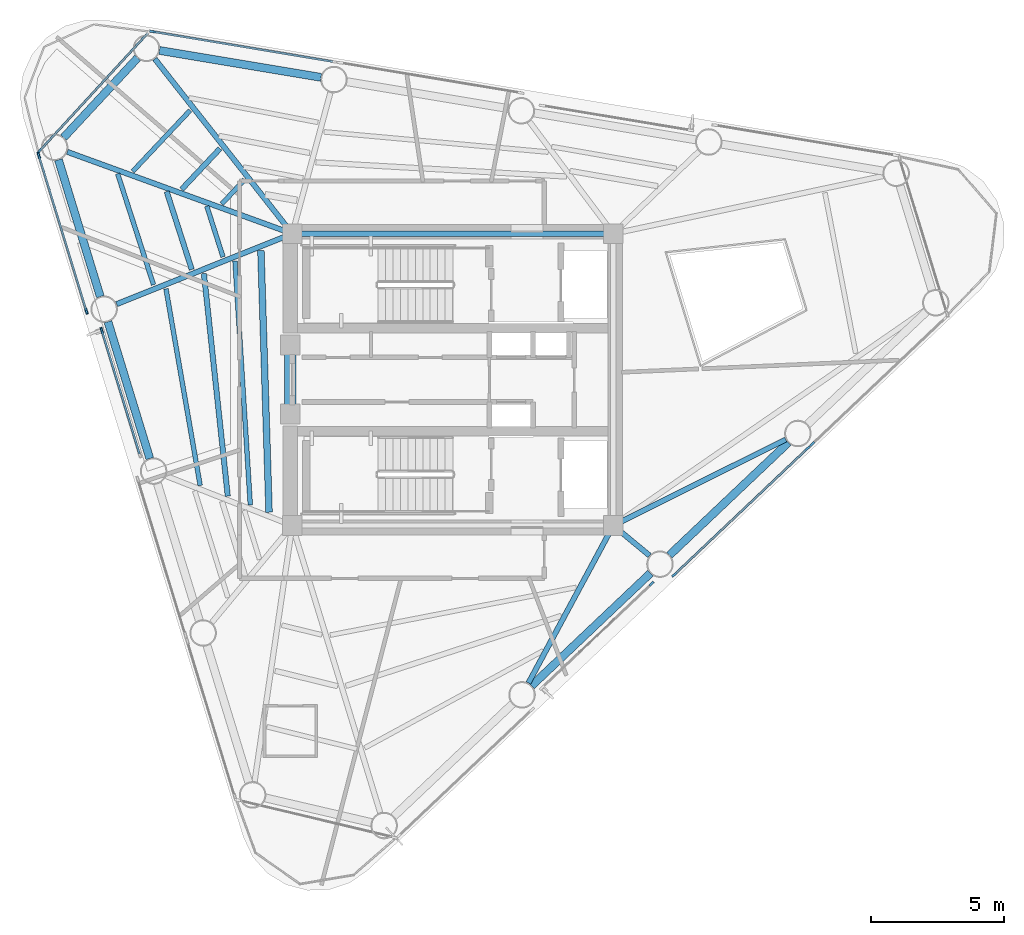
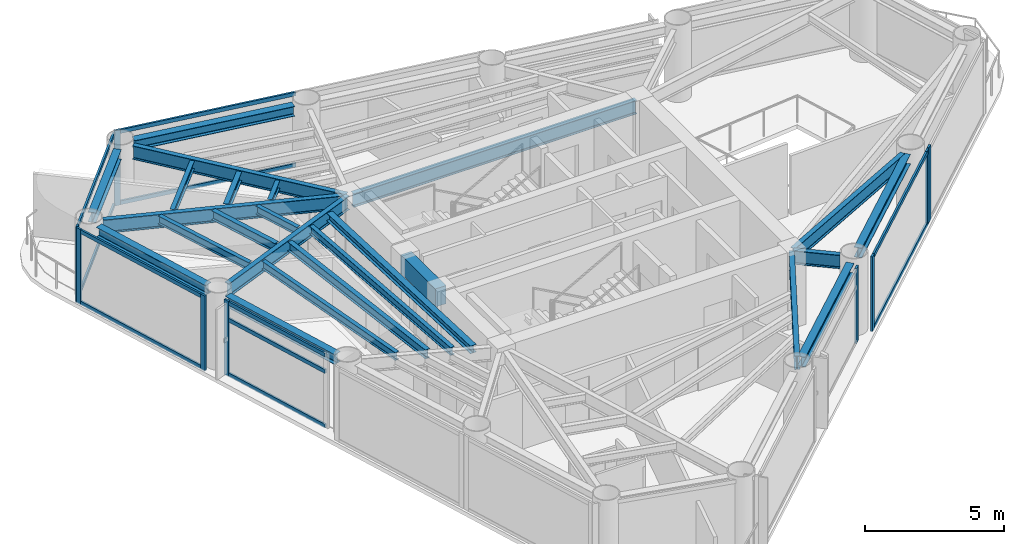
# One storey, part 2 of 8: 24 beams, 20 members, 7 elements without a shape of their own.
"""IFC4 building model written with IfcOpenShell, lengths in metres."""

import ifcopenshell
import ifcopenshell.guid

model = None  # the IFC model being written
_history = None  # IfcOwnerHistory: only IFC2X3 demands one
_inside = {}  # id of a spatial element -> (the spatial element, [elements in it])
_under = {}  # id of a project, library or spatial element -> (it, [spatial elements below it])
_declared = {}  # id of a project -> (the project, [libraries it declares])
_typed = {}  # id of a type object -> (the type object, [elements of that type])
_made_of = {}  # id of a material, layer set ... -> (it, [elements and type objects made of it])


def new_model(schema):
    """Start an empty IFC model of exactly this schema.

    Asked for "IFC4X3", IfcOpenShell would pick the latest addendum, in which some entities
    have other attributes; the version numbers below select the first issue.
    IFC2X3 requires an IfcOwnerHistory on every rooted entity: one is made here for all.
    """
    global model, _history
    if schema == "IFC4X3":
        model = ifcopenshell.file(schema_version=(4, 3, 0, 0))
    else:
        model = ifcopenshell.file(schema=schema)
    _inside.clear()
    _under.clear()
    _declared.clear()
    _typed.clear()
    _made_of.clear()
    _history = None
    if model.schema == "IFC2X3":
        org = make("IfcOrganization", Name="unknown")
        user = make(
            "IfcPersonAndOrganization",
            ThePerson=make("IfcPerson", FamilyName="unknown"),
            TheOrganization=org,
        )
        app = make(
            "IfcApplication",
            ApplicationDeveloper=org,
            Version="unknown",
            ApplicationFullName="unknown",
            ApplicationIdentifier="unknown",
        )
        _history = make(
            "IfcOwnerHistory",
            OwningUser=user,
            OwningApplication=app,
            ChangeAction="ADDED",
            CreationDate=0,
        )
    return model


def make(cls, **values):
    """One entity of the class cls with the attributes given. An attribute that is None is left unset."""
    return model.create_entity(
        cls, **{name: value for name, value in values.items() if value is not None}
    )


def rooted(cls, **values):
    """An entity with a GlobalId (a new one), such as an element, a storey or a relation."""
    return make(cls, GlobalId=ifcopenshell.guid.new(), OwnerHistory=_history, **values)


def si_unit(unit_type, name, prefix=None):
    """IfcSIUnit, for example si_unit("LENGTHUNIT", "METRE", prefix="MILLI")."""
    return make("IfcSIUnit", UnitType=unit_type, Prefix=prefix, Name=name)


def assignment(units):
    """IfcUnitAssignment: the units of a project."""
    return None if units is None else make("IfcUnitAssignment", Units=units)


def point(xyz):
    """IfcCartesianPoint."""
    return None if xyz is None else make("IfcCartesianPoint", Coordinates=xyz)


def direction(xyz):
    """IfcDirection."""
    return None if xyz is None else make("IfcDirection", DirectionRatios=xyz)


def frame(location, z_axis=None, x_axis=None):
    """IfcAxis2Placement3D, a coordinate frame: its origin and axes. An axis left out is left unset."""
    return make(
        "IfcAxis2Placement3D",
        Location=point(location),
        Axis=direction(z_axis),
        RefDirection=direction(x_axis),
    )


def frame_2d(location, x_axis=None):
    """IfcAxis2Placement2D, a coordinate frame in the plane: its origin and x axis."""
    return make(
        "IfcAxis2Placement2D", Location=point(location), RefDirection=direction(x_axis)
    )


def origin():
    """The frame at (0, 0, 0) with its axes left unset."""
    return frame((0.0, 0.0, 0.0))


def origin_2d():
    """The frame at (0, 0) in the plane with its x axis left unset."""
    return frame_2d((0.0, 0.0))


def place(relative_to, where):
    """IfcLocalPlacement: puts the frame where relative to a parent placement (None: the world)."""
    return make(
        "IfcLocalPlacement", PlacementRelTo=relative_to, RelativePlacement=where
    )


def context(
    kind, dimensions, precision=None, world=None, true_north=None, identifier=None
):
    """IfcGeometricRepresentationContext, for example the 3D "Model" context."""
    return make(
        "IfcGeometricRepresentationContext",
        ContextIdentifier=identifier,
        ContextType=kind,
        CoordinateSpaceDimension=dimensions,
        Precision=precision,
        WorldCoordinateSystem=world,
        TrueNorth=true_north,
    )


def subcontext(parent, identifier, kind, view, scale=None):
    """IfcGeometricRepresentationSubContext, for example "Body" below "Model"."""
    return make(
        "IfcGeometricRepresentationSubContext",
        ContextIdentifier=identifier,
        ContextType=kind,
        ParentContext=parent,
        TargetScale=scale,
        TargetView=view,
    )


def project(units=None, contexts=None):
    """IfcProject with its units and contexts."""
    return rooted(
        "IfcProject",
        Name="project",
        RepresentationContexts=contexts,
        UnitsInContext=assignment(units),
    )


def spatial(cls, under=None, at=None, **own):
    """A site, building, storey or space (cls), placed at a placement, below another one or the project."""
    s = rooted(cls, ObjectPlacement=at, **own)
    if under is not None:
        _under.setdefault(under.id(), (under, []))[1].append(s)
    return s


def profile(cls, at=None, kind="AREA", **sizes):
    """A parametric profile (cls). Its sizes go by their IFC names, for example OverallWidth=200.0."""
    return make(cls, ProfileType=kind, Position=at, **sizes)


def rectangle(**sizes):
    """IfcRectangleProfileDef."""
    return profile("IfcRectangleProfileDef", **sizes)


def i_section(**sizes):
    """IfcIShapeProfileDef."""
    return profile("IfcIShapeProfileDef", **sizes)


def extrude(swept, where, along, depth):
    """IfcExtrudedAreaSolid: the profile swept, set in the frame where, extruded along a direction by depth."""
    return make(
        "IfcExtrudedAreaSolid",
        SweptArea=swept,
        Position=where,
        ExtrudedDirection=direction(along),
        Depth=depth,
    )


def shape(context_of_items, identifier, shape_type, items):
    """IfcShapeRepresentation: the items that make up one representation, for example the "Body"."""
    return make(
        "IfcShapeRepresentation",
        ContextOfItems=context_of_items,
        RepresentationIdentifier=identifier,
        RepresentationType=shape_type,
        Items=items,
    )


def source(mapping_origin, context_of_items, identifier, shape_type, items):
    """IfcRepresentationMap: a shape defined once, which mapped items show again and again."""
    return make(
        "IfcRepresentationMap",
        MappingOrigin=mapping_origin,
        MappedRepresentation=shape(context_of_items, identifier, shape_type, items),
    )


def transform(
    local_origin,
    x_axis=None,
    y_axis=None,
    z_axis=None,
    scale=None,
    scale2=None,
    scale3=None,
    uniform=True,
):
    """IfcCartesianTransformationOperator3D, or its non-uniform kind. x_axis, y_axis, z_axis: its Axis1, 2, 3."""
    if uniform:
        return make(
            "IfcCartesianTransformationOperator3D",
            Axis1=direction(x_axis),
            Axis2=direction(y_axis),
            LocalOrigin=point(local_origin),
            Scale=scale,
            Axis3=direction(z_axis),
        )
    return make(
        "IfcCartesianTransformationOperator3DnonUniform",
        Axis1=direction(x_axis),
        Axis2=direction(y_axis),
        LocalOrigin=point(local_origin),
        Scale=scale,
        Axis3=direction(z_axis),
        Scale2=scale2,
        Scale3=scale3,
    )


def mapped(mapping_source, mapping_target):
    """IfcMappedItem: shows the shape of a source again, moved by a transform."""
    return make(
        "IfcMappedItem", MappingSource=mapping_source, MappingTarget=mapping_target
    )


def material(Name=None, Category=None):
    """IfcMaterial."""
    return make("IfcMaterial", Name=Name, Category=Category)


def layer(
    of_material, thickness, ventilated=None, Name=None, Category=None, Priority=None
):
    """IfcMaterialLayer: one layer of a wall or slab, of a material (None: an air gap)."""
    return make(
        "IfcMaterialLayer",
        Material=of_material,
        LayerThickness=thickness,
        IsVentilated=ventilated,
        Name=Name,
        Category=Category,
        Priority=Priority,
    )


def layer_set(layers, Name=None):
    """IfcMaterialLayerSet."""
    return make("IfcMaterialLayerSet", MaterialLayers=layers, LayerSetName=Name)


def material_profile(
    of_material, cross_section, Name=None, Category=None, Priority=None
):
    """IfcMaterialProfile: a cross section and its material."""
    return make(
        "IfcMaterialProfile",
        Name=Name,
        Material=of_material,
        Profile=cross_section,
        Priority=Priority,
        Category=Category,
    )


def profile_set(profiles, Name=None, composite=None):
    """IfcMaterialProfileSet."""
    return make(
        "IfcMaterialProfileSet",
        Name=Name,
        MaterialProfiles=profiles,
        CompositeProfile=composite,
    )


def made_of(thing, what):
    """Note that an element or type object is made of a material, layer set ...; save() writes the relation."""
    if what is not None:
        _made_of.setdefault(what.id(), (what, []))[1].append(thing)
    return thing


def type_object(cls, material=None, **own):
    """A type object (cls), such as IfcWallType, which elements share."""
    return made_of(rooted(cls, **own), material)


def element(
    cls,
    number,
    at=None,
    inside=None,
    cuts=None,
    type_object=None,
    material=None,
    context=None,
    identifier="Body",
    shape_type=None,
    held_by="IfcProductDefinitionShape",
    body=None,
    shapes=None,
    **own,
):
    """One element of the class cls, such as IfcWall. Its Tag is "e" and its number.

    at: its placement. inside: the storey or other place that contains it. cuts: it is an
    opening in that element (IfcRelVoidsElement). A single representation is given by context,
    identifier, shape_type and body (its items); several are given by shapes. held_by: the class
    of the entity that holds the representations. save() writes the other relations.
    """
    e = rooted(cls, Tag="e%d" % number, ObjectPlacement=at, **own)
    if body is not None:
        shapes = [shape(context, identifier, shape_type, body)]
    if shapes is not None:
        e.Representation = make(held_by, Representations=shapes)
    if inside is not None:
        _inside.setdefault(inside.id(), (inside, []))[1].append(e)
    if cuts is not None:
        rooted(
            "IfcRelVoidsElement", RelatingBuildingElement=cuts, RelatedOpeningElement=e
        )
    if type_object is not None:
        _typed.setdefault(type_object.id(), (type_object, []))[1].append(e)
    return made_of(e, material)


def aggregate(whole, parts):
    """IfcRelAggregates: a whole, such as a stair, and the parts it consists of."""
    return rooted("IfcRelAggregates", RelatingObject=whole, RelatedObjects=parts)


def save(model, path):
    """Write the relations noted so far, then the file.

    IfcRelAggregates (storeys below a building ...), IfcRelContainedInSpatialStructure (elements
    in a storey), IfcRelDefinesByType, IfcRelAssociatesMaterial and IfcRelDeclares: one each for
    every whole, place, type object, material and project.
    """
    for whole, parts in _under.values():
        aggregate(whole, parts)
    for where, things in _inside.values():
        rooted(
            "IfcRelContainedInSpatialStructure",
            RelatedElements=things,
            RelatingStructure=where,
        )
    for kind, things in _typed.values():
        rooted("IfcRelDefinesByType", RelatedObjects=things, RelatingType=kind)
    for what, things in _made_of.values():
        rooted("IfcRelAssociatesMaterial", RelatedObjects=things, RelatingMaterial=what)
    for by, libraries in _declared.values():
        rooted("IfcRelDeclares", RelatingContext=by, RelatedDefinitions=libraries)
    model.write(path)


model = new_model("IFC4")

# Units and contexts
model_context = context("Model", 3, precision=1e-05, world=origin(), true_north=direction((0.0, 1.0)))
body_context = subcontext(model_context, "Body", "Model", "MODEL_VIEW")
ifc_project = project(units=[si_unit("LENGTHUNIT", "METRE"), si_unit("AREAUNIT", "SQUARE_METRE"), si_unit("VOLUMEUNIT", "CUBIC_METRE"), si_unit("PLANEANGLEUNIT", "RADIAN"), si_unit("MASSUNIT", "GRAM", prefix="KILO")], contexts=[model_context])

# Site, building, storey
site_placement = place(None, origin())
site = spatial("IfcSite", under=ifc_project, at=site_placement, CompositionType="ELEMENT")
building_placement = place(site_placement, origin())
building = spatial("IfcBuilding", under=site, at=building_placement, Name="Yunling Apex Tower", CompositionType="ELEMENT")
storey_placement = place(building_placement, frame((0.0, 0.0, 238.85009765625)))
storey = spatial("IfcBuildingStorey", under=building, at=storey_placement, Name="L58", CompositionType="ELEMENT", Elevation=238.85009765625)

# Beams
ifc_material_1 = material(Name="Concrete C40", Category="concrete")
ifc_material_profile_1 = material_profile(ifc_material_1, rectangle(XDim=0.449951171875, YDim=0.800048828125, at=origin_2d()))
ifc_profile_set_1 = profile_set([ifc_material_profile_1], Name="Concrete C40")
beam_type_1 = type_object("IfcBeamType", Name="BC-CPL-3", PredefinedType="BEAM", material=ifc_profile_set_1)
shared_shape_1 = source(origin(), body_context, "Body", "SweptSolid", [
    extrude(rectangle(XDim=0.449951171875, YDim=0.800048828125, at=origin_2d()), origin(), (0.0, 0.0, 1.0), 2.5),
])
beam_1_placement = place(storey_placement, frame((-6.125, -1.25, 2.81982421875), z_axis=(0.0, 1.0, 0.0), x_axis=(-1.0, 0.0, 0.0)))
element("IfcBeam", 1, at=beam_1_placement, inside=storey, type_object=beam_type_1, Name="L58 Core West Portal Coupling Beam", PredefinedType="BEAM", context=body_context, shape_type="MappedRepresentation", body=[
    mapped(shared_shape_1, transform((0.0, 0.0, 0.0), scale=1.0)),
])
ifc_material_2 = material(Name="Steel Q355B", Category="steel")
ifc_material_profile_2 = material_profile(ifc_material_2, i_section(OverallWidth=0.199951171875, OverallDepth=0.60009765625, WebThickness=0.010986328125, FlangeThickness=0.01708984375, FilletRadius=0.02197265625, at=origin_2d()))
ifc_profile_set_2 = profile_set([ifc_material_profile_2], Name="Steel Q355B")
beam_type_2 = type_object("IfcBeamType", Name="BG-PRI-5", PredefinedType="USERDEFINED", material=ifc_profile_set_2)
shared_shape_2 = source(origin(), body_context, "Body", "SweptSolid", [
    extrude(i_section(OverallWidth=0.199951171875, OverallDepth=0.60009765625, WebThickness=0.010986328125, FlangeThickness=0.01708984375, FilletRadius=0.02197265625, at=origin_2d()), origin(), (0.0, 0.0, 1.0), 11.7998046875),
])
beam_2_placement = place(storey_placement, frame((5.89990234375, 5.5, 2.919921875), z_axis=(-1.0, 0.0, 0.0), x_axis=(0.0, -1.0, 0.0)))
element("IfcBeam", 2, at=beam_2_placement, inside=storey, type_object=beam_type_2, Name="L58 Core Ring Tie Beam 3", ObjectType="GIRDER", PredefinedType="USERDEFINED", context=body_context, shape_type="MappedRepresentation", body=[
    mapped(shared_shape_2, transform((0.0, 0.0, 0.0), scale=1.0)),
])
ifc_material_profile_3 = material_profile(ifc_material_2, i_section(OverallWidth=0.300048828125, OverallDepth=0.43994140625, WebThickness=0.010986328125, FlangeThickness=0.01806640625, FilletRadius=0.02197265625, at=origin_2d()))
ifc_profile_set_3 = profile_set([ifc_material_profile_3], Name="Steel Q355B")
beam_type_3 = type_object("IfcBeamType", Name="BP-SPN-3", PredefinedType="SPANDREL", material=ifc_profile_set_3)
shared_shape_3 = source(origin(), body_context, "Body", "SweptSolid", [
    extrude(i_section(OverallWidth=0.300048828125, OverallDepth=0.43994140625, WebThickness=0.010986328125, FlangeThickness=0.01806640625, FilletRadius=0.02197265625, at=origin_2d()), origin(), (0.0, 0.0, 1.0), 6.17333984375),
])
for number, where, z_axis, x_axis, name in (
    (3, (8.16748046875, -6.6162109375, 3.0), (0.725853952128, 0.687848849807, 0.0), (-0.687848849807, 0.725853952128, 0.0), "L58 Perimeter Spandrel Beam 3"),
    (4, (-4.967041015625, 11.391845703125, 3.0), (-0.986400336233, 0.164360508275, 0.0), (-0.164360508275, -0.986400336233, 0.0), "L58 Perimeter Spandrel Beam 9"),
):
    element("IfcBeam", number, at=place(storey_placement, frame(where, z_axis=z_axis, x_axis=x_axis)), inside=storey, type_object=beam_type_3, Name=name, PredefinedType="SPANDREL", context=body_context, shape_type="MappedRepresentation", body=[
        mapped(shared_shape_3, transform((0.0, 0.0, 0.0), scale=1.0)),
    ])
shared_shape_4 = source(origin(), body_context, "Body", "SweptSolid", [
    extrude(i_section(OverallWidth=0.300048828125, OverallDepth=0.43994140625, WebThickness=0.010986328125, FlangeThickness=0.01806640625, FilletRadius=0.02197265625, at=origin_2d()), origin(), (0.0, 0.0, 1.0), 6.173095703125),
])
beam_3_placement = place(storey_placement, frame((2.969482421875, -11.5419921875, 3.0), z_axis=(0.725873697531, 0.687828012829, 0.0), x_axis=(-0.687828012829, 0.725873697531, 0.0)))
element("IfcBeam", 5, at=beam_3_placement, inside=storey, type_object=beam_type_3, Name="L58 Perimeter Spandrel Beam 2", PredefinedType="SPANDREL", context=body_context, shape_type="MappedRepresentation", body=[
    mapped(shared_shape_4, transform((0.0, 0.0, 0.0), scale=1.0)),
])
shared_shape_5 = source(origin(), body_context, "Body", "SweptSolid", [
    extrude(i_section(OverallWidth=0.300048828125, OverallDepth=0.43994140625, WebThickness=0.010986328125, FlangeThickness=0.01806640625, FilletRadius=0.02197265625, at=origin_2d()), origin(), (0.0, 0.0, 1.0), 4.1015625),
])
beam_4_placement = place(storey_placement, frame((-11.8798828125, 12.125732421875, 3.0), z_axis=(-0.680585789197, -0.732668399443, 0.0), x_axis=(0.732668399443, -0.680585789197, 0.0)))
element("IfcBeam", 6, at=beam_4_placement, inside=storey, type_object=beam_type_3, Name="L58 Perimeter Spandrel Beam 10", PredefinedType="SPANDREL", context=body_context, shape_type="MappedRepresentation", body=[
    mapped(shared_shape_5, transform((0.0, 0.0, 0.0), scale=1.0)),
])
shared_shape_6 = source(origin(), body_context, "Body", "SweptSolid", [
    extrude(i_section(OverallWidth=0.300048828125, OverallDepth=0.43994140625, WebThickness=0.010986328125, FlangeThickness=0.01806640625, FilletRadius=0.02197265625, at=origin_2d()), origin(), (0.0, 0.0, 1.0), 5.39404296875),
])
for number, where, z_axis, x_axis, name in (
    (7, (-14.863037109375, 8.286376953125, 3.0), (0.292393318538, -0.956298147689, 0.0), (0.956298147689, 0.292393318538, 0.0), "L58 Perimeter Spandrel Beam 11"),
    (8, (-12.997314453125, 2.183349609375, 3.0), (0.292380663083, -0.956302017072, 0.0), (0.956302017072, 0.292380663083, 0.0), "L58 Perimeter Spandrel Beam 12"),
):
    element("IfcBeam", number, at=place(storey_placement, frame(where, z_axis=z_axis, x_axis=x_axis)), inside=storey, type_object=beam_type_3, Name=name, PredefinedType="SPANDREL", context=body_context, shape_type="MappedRepresentation", body=[
        mapped(shared_shape_6, transform((0.0, 0.0, 0.0), scale=1.0)),
    ])
shared_shape_7 = source(origin(), body_context, "Body", "SweptSolid", [
    extrude(i_section(OverallWidth=0.199951171875, OverallDepth=0.60009765625, WebThickness=0.010986328125, FlangeThickness=0.01708984375, FilletRadius=0.02197265625, at=origin_2d()), origin(), (0.0, 0.0, 1.0), 6.661865234375),
])
beam_5_placement = place(storey_placement, frame((2.851806640625, -11.434814453125, 2.919921875), z_axis=(0.474372979845, 0.88032396082, 0.0), x_axis=(-0.88032396082, 0.474372979845, 0.0)))
element("IfcBeam", 9, at=beam_5_placement, inside=storey, type_object=beam_type_2, Name="L58 Radial Primary Girder R02", ObjectType="GIRDER", PredefinedType="USERDEFINED", context=body_context, shape_type="MappedRepresentation", body=[
    mapped(shared_shape_7, transform((0.0, 0.0, 0.0), scale=1.0)),
])
shared_shape_8 = source(origin(), body_context, "Body", "SweptSolid", [
    extrude(i_section(OverallWidth=0.199951171875, OverallDepth=0.60009765625, WebThickness=0.010986328125, FlangeThickness=0.01708984375, FilletRadius=0.02197265625, at=origin_2d()), origin(), (0.0, 0.0, 1.0), 1.695556640625),
])
beam_6_placement = place(storey_placement, frame((7.417724609375, -6.632080078125, 2.919921875), z_axis=(-0.770365054174, 0.637603076614, 0.0), x_axis=(-0.637603076614, -0.770365054174, 0.0)))
element("IfcBeam", 10, at=beam_6_placement, inside=storey, type_object=beam_type_2, Name="L58 Radial Primary Girder R03", ObjectType="GIRDER", PredefinedType="USERDEFINED", context=body_context, shape_type="MappedRepresentation", body=[
    mapped(shared_shape_8, transform((0.0, 0.0, 0.0), scale=1.0)),
])
shared_shape_9 = source(origin(), body_context, "Body", "SweptSolid", [
    extrude(i_section(OverallWidth=0.199951171875, OverallDepth=0.60009765625, WebThickness=0.010986328125, FlangeThickness=0.01708984375, FilletRadius=0.02197265625, at=origin_2d()), origin(), (0.0, 0.0, 1.0), 7.1865234375),
])
beam_7_placement = place(storey_placement, frame((12.552490234375, -2.256591796875, 2.919921875), z_axis=(-0.894854827722, -0.446357297803, 0.0), x_axis=(0.446357297803, -0.894854827722, 0.0)))
element("IfcBeam", 11, at=beam_7_placement, inside=storey, type_object=beam_type_2, Name="L58 Radial Primary Girder R04", ObjectType="GIRDER", PredefinedType="USERDEFINED", context=body_context, shape_type="MappedRepresentation", body=[
    mapped(shared_shape_9, transform((0.0, 0.0, 0.0), scale=1.0)),
])
shared_shape_10 = source(origin(), body_context, "Body", "SweptSolid", [
    extrude(i_section(OverallWidth=0.199951171875, OverallDepth=0.60009765625, WebThickness=0.010986328125, FlangeThickness=0.01708984375, FilletRadius=0.02197265625, at=origin_2d()), origin(), (0.0, 0.0, 1.0), 8.300537109375),
])
beam_8_placement = place(storey_placement, frame((-11.229736328125, 12.088134765625, 2.919921875), z_axis=(0.618080016926, -0.786115190463, 0.0), x_axis=(0.786115190463, 0.618080016926, 0.0)))
element("IfcBeam", 12, at=beam_8_placement, inside=storey, type_object=beam_type_2, Name="L58 Radial Primary Girder R10", ObjectType="GIRDER", PredefinedType="USERDEFINED", context=body_context, shape_type="MappedRepresentation", body=[
    mapped(shared_shape_10, transform((0.0, 0.0, 0.0), scale=1.0)),
])
shared_shape_11 = source(origin(), body_context, "Body", "SweptSolid", [
    extrude(i_section(OverallWidth=0.199951171875, OverallDepth=0.60009765625, WebThickness=0.010986328125, FlangeThickness=0.01708984375, FilletRadius=0.02197265625, at=origin_2d()), origin(), (0.0, 0.0, 1.0), 8.943603515625),
])
beam_9_placement = place(storey_placement, frame((-14.530029296875, 8.5849609375, 2.919921875), z_axis=(0.939745593755, -0.341874566205, 0.0), x_axis=(0.341874566205, 0.939745593755, 0.0)))
element("IfcBeam", 13, at=beam_9_placement, inside=storey, type_object=beam_type_2, Name="L58 Radial Primary Girder R11", ObjectType="GIRDER", PredefinedType="USERDEFINED", context=body_context, shape_type="MappedRepresentation", body=[
    mapped(shared_shape_11, transform((0.0, 0.0, 0.0), scale=1.0)),
])
shared_shape_12 = source(origin(), body_context, "Body", "SweptSolid", [
    extrude(i_section(OverallWidth=0.199951171875, OverallDepth=0.60009765625, WebThickness=0.010986328125, FlangeThickness=0.01708984375, FilletRadius=0.02197265625, at=origin_2d()), origin(), (0.0, 0.0, 1.0), 7.052734375),
])
beam_10_placement = place(storey_placement, frame((-12.670166015625, 2.8447265625, 2.919921875), z_axis=(0.928127733356, 0.372261884399, 0.0), x_axis=(-0.372261884399, 0.928127733356, 0.0)))
element("IfcBeam", 14, at=beam_10_placement, inside=storey, type_object=beam_type_2, Name="L58 Radial Primary Girder R12", ObjectType="GIRDER", PredefinedType="USERDEFINED", context=body_context, shape_type="MappedRepresentation", body=[
    mapped(shared_shape_12, transform((0.0, 0.0, 0.0), scale=1.0)),
])
ifc_material_profile_4 = material_profile(ifc_material_2, i_section(OverallWidth=0.199951171875, OverallDepth=0.39990234375, WebThickness=0.008056640625, FlangeThickness=0.012939453125, FilletRadius=0.01611328125, at=origin_2d()))
ifc_profile_set_4 = profile_set([ifc_material_profile_4], Name="Steel Q355B")
beam_type_4 = type_object("IfcBeamType", Name="BS-SEC-4", PredefinedType="BEAM", material=ifc_profile_set_4)
shared_shape_13 = source(origin(), body_context, "Body", "SweptSolid", [
    extrude(i_section(OverallWidth=0.199951171875, OverallDepth=0.39990234375, WebThickness=0.008056640625, FlangeThickness=0.012939453125, FilletRadius=0.01611328125, at=origin_2d()), origin(), (0.0, 0.0, 1.0), 2.108154296875),
])
beam_11_placement = place(storey_placement, frame((-8.774169921875, 8.708984375, 3.02001953125), z_axis=(-0.684880497063, -0.728655408779, 0.0), x_axis=(0.728655408779, -0.684880497063, 0.0)))
element("IfcBeam", 15, at=beam_11_placement, inside=storey, type_object=beam_type_4, Name="L58 Composite Floor Beam BS-10", PredefinedType="BEAM", context=body_context, shape_type="MappedRepresentation", body=[
    mapped(shared_shape_13, transform((0.0, 0.0, 0.0), scale=1.0)),
])
ifc_material_profile_5 = material_profile(ifc_material_2, i_section(OverallWidth=0.175048828125, OverallDepth=0.35009765625, WebThickness=0.007080078125, FlangeThickness=0.010986328125, FilletRadius=0.013916015625, at=origin_2d()))
ifc_profile_set_5 = profile_set([ifc_material_profile_5], Name="Steel Q355B")
beam_type_5 = type_object("IfcBeamType", Name="BJ-JST-1", PredefinedType="JOIST", material=ifc_profile_set_5)
shared_shape_14 = source(origin(), body_context, "Body", "SweptSolid", [
    extrude(i_section(OverallWidth=0.175048828125, OverallDepth=0.35009765625, WebThickness=0.007080078125, FlangeThickness=0.010986328125, FilletRadius=0.013916015625, at=origin_2d()), origin(), (0.0, 0.0, 1.0), 3.157470703125),
])
beam_12_placement = place(storey_placement, frame((-9.903076171875, 10.14453125, 3.044921875), z_axis=(-0.685403289292, -0.728163670494, 0.0), x_axis=(0.728163670494, -0.685403289292, 0.0)))
element("IfcBeam", 16, at=beam_12_placement, inside=storey, type_object=beam_type_5, Name="L58 Composite Floor Joist BJ1-10", PredefinedType="JOIST", context=body_context, shape_type="MappedRepresentation", body=[
    mapped(shared_shape_14, transform((0.0, 0.0, 0.0), scale=1.0)),
])
shared_shape_15 = source(origin(), body_context, "Body", "SweptSolid", [
    extrude(i_section(OverallWidth=0.175048828125, OverallDepth=0.35009765625, WebThickness=0.007080078125, FlangeThickness=0.010986328125, FilletRadius=0.013916015625, at=origin_2d()), origin(), (0.0, 0.0, 1.0), 1.249755859375),
])
beam_13_placement = place(storey_placement, frame((-7.8505859375, 7.5341796875, 3.044921875), z_axis=(-0.683980120085, -0.729500647929, 0.0), x_axis=(0.729500647929, -0.683980120085, 0.0)))
element("IfcBeam", 17, at=beam_13_placement, inside=storey, type_object=beam_type_5, Name="L58 Composite Floor Joist BJ3-10", PredefinedType="JOIST", context=body_context, shape_type="MappedRepresentation", body=[
    mapped(shared_shape_15, transform((0.0, 0.0, 0.0), scale=1.0)),
])
shared_shape_16 = source(origin(), body_context, "Body", "SweptSolid", [
    extrude(i_section(OverallWidth=0.199951171875, OverallDepth=0.39990234375, WebThickness=0.008056640625, FlangeThickness=0.012939453125, FilletRadius=0.01611328125, at=origin_2d()), origin(), (0.0, 0.0, 1.0), 3.083251953125),
])
beam_14_placement = place(storey_placement, frame((-10.782958984375, 7.08740234375, 3.02001953125), z_axis=(0.306209104811, -0.951964276709, 0.0), x_axis=(0.951964276709, 0.306209104811, 0.0)))
element("IfcBeam", 18, at=beam_14_placement, inside=storey, type_object=beam_type_4, Name="L58 Composite Floor Beam BS-11", PredefinedType="BEAM", context=body_context, shape_type="MappedRepresentation", body=[
    mapped(shared_shape_16, transform((0.0, 0.0, 0.0), scale=1.0)),
])
shared_shape_17 = source(origin(), body_context, "Body", "SweptSolid", [
    extrude(i_section(OverallWidth=0.175048828125, OverallDepth=0.35009765625, WebThickness=0.007080078125, FlangeThickness=0.010986328125, FilletRadius=0.013916015625, at=origin_2d()), origin(), (0.0, 0.0, 1.0), 4.3984375),
])
beam_15_placement = place(storey_placement, frame((-12.6318359375, 7.760009765625, 3.044921875), z_axis=(0.307505485962, -0.951546307913, 0.0), x_axis=(0.951546307913, 0.307505485962, 0.0)))
element("IfcBeam", 19, at=beam_15_placement, inside=storey, type_object=beam_type_5, Name="L58 Composite Floor Joist BJ1-11", PredefinedType="JOIST", context=body_context, shape_type="MappedRepresentation", body=[
    mapped(shared_shape_17, transform((0.0, 0.0, 0.0), scale=1.0)),
])
shared_shape_18 = source(origin(), body_context, "Body", "SweptSolid", [
    extrude(i_section(OverallWidth=0.175048828125, OverallDepth=0.35009765625, WebThickness=0.007080078125, FlangeThickness=0.010986328125, FilletRadius=0.013916015625, at=origin_2d()), origin(), (0.0, 0.0, 1.0), 2.0068359375),
])
beam_16_placement = place(storey_placement, frame((-9.2705078125, 6.536865234375, 3.044921875), z_axis=(0.304011984445, -0.95266820736, 0.0), x_axis=(0.95266820736, 0.304011984445, 0.0)))
element("IfcBeam", 20, at=beam_16_placement, inside=storey, type_object=beam_type_5, Name="L58 Composite Floor Joist BJ3-11", PredefinedType="JOIST", context=body_context, shape_type="MappedRepresentation", body=[
    mapped(shared_shape_18, transform((0.0, 0.0, 0.0), scale=1.0)),
])
shared_shape_19 = source(origin(), body_context, "Body", "SweptSolid", [
    extrude(i_section(OverallWidth=0.199951171875, OverallDepth=0.39990234375, WebThickness=0.008056640625, FlangeThickness=0.012939453125, FilletRadius=0.01611328125, at=origin_2d()), origin(), (0.0, 0.0, 1.0), 8.439208984375),
])
beam_17_placement = place(storey_placement, frame((-9.380126953125, 3.998291015625, 3.02001953125), z_axis=(0.106576025189, -0.994304556389, 0.0), x_axis=(0.994304556389, 0.106576025189, 0.0)))
element("IfcBeam", 21, at=beam_17_placement, inside=storey, type_object=beam_type_4, Name="L58 Composite Floor Beam BS-12", PredefinedType="BEAM", context=body_context, shape_type="MappedRepresentation", body=[
    mapped(shared_shape_19, transform((0.0, 0.0, 0.0), scale=1.0)),
])
shared_shape_20 = source(origin(), body_context, "Body", "SweptSolid", [
    extrude(i_section(OverallWidth=0.175048828125, OverallDepth=0.35009765625, WebThickness=0.007080078125, FlangeThickness=0.010986328125, FilletRadius=0.013916015625, at=origin_2d()), origin(), (0.0, 0.0, 1.0), 7.523681640625),
])
beam_18_placement = place(storey_placement, frame((-10.809814453125, 3.42236328125, 3.044921875), z_axis=(0.171367194042, -0.985207229372, 0.0), x_axis=(0.985207229372, 0.171367194042, 0.0)))
element("IfcBeam", 22, at=beam_18_placement, inside=storey, type_object=beam_type_5, Name="L58 Composite Floor Joist BJ1-12", PredefinedType="JOIST", context=body_context, shape_type="MappedRepresentation", body=[
    mapped(shared_shape_20, transform((0.0, 0.0, 0.0), scale=1.0)),
])
shared_shape_21 = source(origin(), body_context, "Body", "SweptSolid", [
    extrude(i_section(OverallWidth=0.175048828125, OverallDepth=0.35009765625, WebThickness=0.007080078125, FlangeThickness=0.010986328125, FilletRadius=0.013916015625, at=origin_2d()), origin(), (0.0, 0.0, 1.0), 9.211669921875),
])
beam_19_placement = place(storey_placement, frame((-8.208984375, 4.470458984375, 3.044921875), z_axis=(0.062680234959, -0.998033660828, 0.0), x_axis=(0.998033660828, 0.062680234959, 0.0)))
element("IfcBeam", 23, at=beam_19_placement, inside=storey, type_object=beam_type_5, Name="L58 Composite Floor Joist BJ3-12", PredefinedType="JOIST", context=body_context, shape_type="MappedRepresentation", body=[
    mapped(shared_shape_21, transform((0.0, 0.0, 0.0), scale=1.0)),
])
ifc_material_profile_6 = material_profile(ifc_material_2, i_section(OverallWidth=0.25, OverallDepth=0.340087890625, WebThickness=0.009033203125, FlangeThickness=0.013916015625, FilletRadius=0.01806640625, at=origin_2d()))
ifc_profile_set_6 = profile_set([ifc_material_profile_6], Name="Steel Q355B")
beam_type_6 = type_object("IfcBeamType", Name="BJ-JST-2", PredefinedType="JOIST", material=ifc_profile_set_6)
shared_shape_22 = source(origin(), body_context, "Body", "SweptSolid", [
    extrude(i_section(OverallWidth=0.25, OverallDepth=0.340087890625, WebThickness=0.009033203125, FlangeThickness=0.013916015625, FilletRadius=0.01806640625, at=origin_2d()), origin(), (0.0, 0.0, 1.0), 9.867431640625),
])
beam_20_placement = place(storey_placement, frame((-7.232177734375, 4.864013671875, 3.0498046875), z_axis=(0.03115055603, -0.999514703673, 0.0), x_axis=(0.999514703673, 0.03115055603, 0.0)))
element("IfcBeam", 24, at=beam_20_placement, inside=storey, type_object=beam_type_6, Name="L58 Composite Floor Joist BJ2-12", PredefinedType="JOIST", context=body_context, shape_type="MappedRepresentation", body=[
    mapped(shared_shape_22, transform((0.0, 0.0, 0.0), scale=1.0)),
])

# Curtain wall, members
ifc_material_3 = material(Name="Bronze anodised aluminium", Category="aluminium")
ifc_layer = layer(ifc_material_3, 0.219970703125)
ifc_layer_set = layer_set([ifc_layer], Name="Bronze anodised aluminium")
curtain_wall_type = type_object("IfcCurtainWallType", Name="CW-SYS-4", PredefinedType="NOTDEFINED", material=ifc_layer_set)
curtain_wall_1_placement = place(storey_placement, origin())
curtain_wall_1 = element("IfcCurtainWall", 25, at=curtain_wall_1_placement, inside=storey, type_object=curtain_wall_type, Name="CW-L58-F1-B3", PredefinedType="NOTDEFINED")
ifc_material_profile_7 = material_profile(ifc_material_3, rectangle(XDim=0.080078125, YDim=0.169921875, at=origin_2d()))
ifc_profile_set_7 = profile_set([ifc_material_profile_7], Name="Bronze anodised aluminium")
member_type_1 = type_object("IfcMemberType", Name="CW-TRN-4", PredefinedType="USERDEFINED", material=ifc_profile_set_7)
shared_shape_23 = source(origin(), body_context, "Body", "SweptSolid", [
    extrude(rectangle(XDim=0.080078125, YDim=0.169921875, at=origin_2d()), origin(), (0.0, 0.0, 1.0), 6.849365234375),
])
member_1_placement = place(storey_placement, frame((8.376220703125, -7.32763671875, 0.039794921875), z_axis=(0.725867443411, 0.687834612822, 0.0), x_axis=(-0.687834612822, 0.725867443411, 0.0)))
member_1 = element("IfcMember", 26, at=member_1_placement, type_object=member_type_1, Name="CW-SYS-4 transom 1.1", ObjectType="TRANSOM", PredefinedType="USERDEFINED", context=body_context, shape_type="MappedRepresentation", body=[
    mapped(shared_shape_23, transform((0.0, 0.0, 0.0), scale=1.0)),
])
member_2_placement = place(storey_placement, frame((8.376220703125, -7.32763671875, 3.179931640625), z_axis=(0.725867443411, 0.687834612822, 0.0), x_axis=(-0.687834612822, 0.725867443411, 0.0)))
member_2 = element("IfcMember", 27, at=member_2_placement, type_object=member_type_1, Name="CW-SYS-4 transom 1.2", ObjectType="TRANSOM", PredefinedType="USERDEFINED", context=body_context, shape_type="MappedRepresentation", body=[
    mapped(shared_shape_23, transform((0.0, 0.0, 0.0), scale=1.0)),
])

curtain_wall_2_placement = place(storey_placement, origin())
curtain_wall_2 = element("IfcCurtainWall", 28, at=curtain_wall_2_placement, inside=storey, type_object=curtain_wall_type, Name="CW-L58-F2-B4", PredefinedType="NOTDEFINED")
shared_shape_24 = source(origin(), body_context, "Body", "SweptSolid", [
    extrude(rectangle(XDim=0.080078125, YDim=0.169921875, at=origin_2d()), origin(), (0.0, 0.0, 1.0), 6.849609375),
])
member_3_placement = place(storey_placement, frame((-4.525146484375, 11.9873046875, 0.039794921875), z_axis=(-0.986401629478, 0.164352746749, 0.0), x_axis=(-0.164352746749, -0.986401629478, 0.0)))
member_3 = element("IfcMember", 29, at=member_3_placement, type_object=member_type_1, Name="CW-SYS-4 transom 1.1", ObjectType="TRANSOM", PredefinedType="USERDEFINED", context=body_context, shape_type="MappedRepresentation", body=[
    mapped(shared_shape_24, transform((0.0, 0.0, 0.0), scale=1.0)),
])
member_4_placement = place(storey_placement, frame((-4.525146484375, 11.9873046875, 3.179931640625), z_axis=(-0.986401629478, 0.164352746749, 0.0), x_axis=(-0.164352746749, -0.986401629478, 0.0)))
member_4 = element("IfcMember", 30, at=member_4_placement, type_object=member_type_1, Name="CW-SYS-4 transom 1.2", ObjectType="TRANSOM", PredefinedType="USERDEFINED", context=body_context, shape_type="MappedRepresentation", body=[
    mapped(shared_shape_24, transform((0.0, 0.0, 0.0), scale=1.0)),
])

curtain_wall_3_placement = place(storey_placement, origin())
curtain_wall_3 = element("IfcCurtainWall", 31, at=curtain_wall_3_placement, inside=storey, type_object=curtain_wall_type, Name="CW-L58-CRN2", PredefinedType="NOTDEFINED")
shared_shape_25 = source(origin(), body_context, "Body", "SweptSolid", [
    extrude(rectangle(XDim=0.080078125, YDim=0.169921875, at=origin_2d()), origin(), (0.0, 0.0, 1.0), 6.025390625),
])
member_5_placement = place(storey_placement, frame((-11.489990234375, 13.06298828125, 0.039794921875), z_axis=(-0.676824761053, -0.736144172582, 0.0), x_axis=(0.736144172582, -0.676824761053, 0.0)))
member_5 = element("IfcMember", 32, at=member_5_placement, type_object=member_type_1, Name="CW-SYS-4 transom 1.1", ObjectType="TRANSOM", PredefinedType="USERDEFINED", context=body_context, shape_type="MappedRepresentation", body=[
    mapped(shared_shape_25, transform((0.0, 0.0, 0.0), scale=1.0)),
])
member_6_placement = place(storey_placement, frame((-11.489990234375, 13.06298828125, 3.179931640625), z_axis=(-0.676824761053, -0.736144172582, 0.0), x_axis=(0.736144172582, -0.676824761053, 0.0)))
member_6 = element("IfcMember", 33, at=member_6_placement, type_object=member_type_1, Name="CW-SYS-4 transom 1.2", ObjectType="TRANSOM", PredefinedType="USERDEFINED", context=body_context, shape_type="MappedRepresentation", body=[
    mapped(shared_shape_25, transform((0.0, 0.0, 0.0), scale=1.0)),
])

curtain_wall_4_placement = place(storey_placement, origin())
curtain_wall_4 = element("IfcCurtainWall", 34, at=curtain_wall_4_placement, inside=storey, type_object=curtain_wall_type, Name="CW-L58-F3-B1", PredefinedType="NOTDEFINED")
shared_shape_26 = source(origin(), body_context, "Body", "SweptSolid", [
    extrude(rectangle(XDim=0.080078125, YDim=0.169921875, at=origin_2d()), origin(), (0.0, 0.0, 1.0), 6.06982421875),
])
member_7_placement = place(storey_placement, frame((-15.593017578125, 8.41650390625, 0.039794921875), z_axis=(0.292369766892, -0.956305348415, 0.0), x_axis=(0.956305348415, 0.292369766892, 0.0)))
member_7 = element("IfcMember", 35, at=member_7_placement, type_object=member_type_1, Name="CW-SYS-4 transom 1.1", ObjectType="TRANSOM", PredefinedType="USERDEFINED", context=body_context, shape_type="MappedRepresentation", body=[
    mapped(shared_shape_26, transform((0.0, 0.0, 0.0), scale=1.0)),
])
member_8_placement = place(storey_placement, frame((-15.593017578125, 8.41650390625, 3.179931640625), z_axis=(0.292369766892, -0.956305348415, 0.0), x_axis=(0.956305348415, 0.292369766892, 0.0)))
member_8 = element("IfcMember", 36, at=member_8_placement, type_object=member_type_1, Name="CW-SYS-4 transom 1.2", ObjectType="TRANSOM", PredefinedType="USERDEFINED", context=body_context, shape_type="MappedRepresentation", body=[
    mapped(shared_shape_26, transform((0.0, 0.0, 0.0), scale=1.0)),
])

curtain_wall_5_placement = place(storey_placement, origin())
curtain_wall_5 = element("IfcCurtainWall", 37, at=curtain_wall_5_placement, inside=storey, type_object=curtain_wall_type, Name="CW-L58-F3-B2", PredefinedType="NOTDEFINED")
shared_shape_27 = source(origin(), body_context, "Body", "SweptSolid", [
    extrude(rectangle(XDim=0.080078125, YDim=0.169921875, at=origin_2d()), origin(), (0.0, 0.0, 1.0), 4.829833984375),
])
member_9_placement = place(storey_placement, frame((-13.220703125, 1.820068359375, 0.039794921875), z_axis=(0.292366214736, -0.956306434403, 0.0), x_axis=(0.956306434403, 0.292366214736, 0.0)))
member_9 = element("IfcMember", 38, at=member_9_placement, type_object=member_type_1, Name="CW-SYS-4 transom 1.1", ObjectType="TRANSOM", PredefinedType="USERDEFINED", context=body_context, shape_type="MappedRepresentation", body=[
    mapped(shared_shape_27, transform((0.0, 0.0, 0.0), scale=1.0)),
])
member_10_placement = place(storey_placement, frame((-13.220703125, 1.820068359375, 2.447021484375), z_axis=(0.292366214736, -0.956306434403, 0.0), x_axis=(0.956306434403, 0.292366214736, 0.0)))
member_10 = element("IfcMember", 39, at=member_10_placement, type_object=member_type_1, Name="CW-SYS-4 transom 1.2", ObjectType="TRANSOM", PredefinedType="USERDEFINED", context=body_context, shape_type="MappedRepresentation", body=[
    mapped(shared_shape_27, transform((0.0, 0.0, 0.0), scale=1.0)),
])
member_11_placement = place(storey_placement, frame((-13.220703125, 1.820068359375, 3.179931640625), z_axis=(0.292366214736, -0.956306434403, 0.0), x_axis=(0.956306434403, 0.292366214736, 0.0)))
member_11 = element("IfcMember", 40, at=member_11_placement, type_object=member_type_1, Name="CW-SYS-4 transom 1.3", ObjectType="TRANSOM", PredefinedType="USERDEFINED", context=body_context, shape_type="MappedRepresentation", body=[
    mapped(shared_shape_27, transform((0.0, 0.0, 0.0), scale=1.0)),
])

# Curtain wall, member
curtain_wall_6_placement = place(storey_placement, origin())
curtain_wall_6 = element("IfcCurtainWall", 41, at=curtain_wall_6_placement, inside=storey, type_object=curtain_wall_type, Name="CW-L58-F1-B2", PredefinedType="NOTDEFINED")
ifc_material_profile_8 = material_profile(ifc_material_3, rectangle(XDim=0.080078125, YDim=0.219970703125, at=origin_2d()))
ifc_profile_set_8 = profile_set([ifc_material_profile_8], Name="Bronze anodised aluminium")
member_type_2 = type_object("IfcMemberType", Name="CW-MUL-4", PredefinedType="MULLION", material=ifc_profile_set_8)
shared_shape_28 = source(origin(), body_context, "Body", "SweptSolid", [
    extrude(rectangle(XDim=0.080078125, YDim=0.219970703125, at=origin_2d()), origin(), (0.0, 0.0, 1.0), 3.320068359375),
])
member_12_placement = place(storey_placement, frame((7.491943359375, -7.697265625, -0.050048828125), z_axis=(0.0, 0.0, 1.0), x_axis=(-0.687854406681, 0.725848686167, 0.0)))
member_12 = element("IfcMember", 42, at=member_12_placement, type_object=member_type_2, Name="CW-SYS-4 mullion 2", PredefinedType="MULLION", context=body_context, shape_type="MappedRepresentation", body=[
    mapped(shared_shape_28, transform((0.0, 0.0, 0.0), scale=1.0)),
])
aggregate(curtain_wall_6, [member_12])

# Member
member_13_placement = place(storey_placement, frame((8.35009765625, -7.3525390625, -0.050048828125), z_axis=(0.0, 0.0, 1.0), x_axis=(-0.687848040467, 0.72585471909, 0.0)))
member_13 = element("IfcMember", 43, at=member_13_placement, type_object=member_type_2, Name="CW-SYS-4 mullion 1", PredefinedType="MULLION", context=body_context, shape_type="MappedRepresentation", body=[
    mapped(shared_shape_28, transform((0.0, 0.0, 0.0), scale=1.0)),
])

member_14_placement = place(storey_placement, frame((13.3740234375, -2.591552734375, -0.050048828125), z_axis=(0.0, 0.0, 1.0), x_axis=(-0.687848040467, 0.72585471909, 0.0)))
member_14 = element("IfcMember", 44, at=member_14_placement, type_object=member_type_2, Name="CW-SYS-4 mullion 2", PredefinedType="MULLION", context=body_context, shape_type="MappedRepresentation", body=[
    mapped(shared_shape_28, transform((0.0, 0.0, 0.0), scale=1.0)),
])

aggregate(curtain_wall_1, [member_13, member_14, member_1, member_2])

# Curtain wall, member
curtain_wall_7_placement = place(storey_placement, origin())
curtain_wall_7 = element("IfcCurtainWall", 45, at=curtain_wall_7_placement, inside=storey, type_object=curtain_wall_type, Name="CW-L58-F1-B4", PredefinedType="NOTDEFINED")
member_15_placement = place(storey_placement, frame((13.54833984375, -2.426513671875, -0.050048828125), z_axis=(0.0, 0.0, 1.0), x_axis=(-0.687848040467, 0.72585471909, 0.0)))
member_15 = element("IfcMember", 46, at=member_15_placement, type_object=member_type_2, Name="CW-SYS-4 mullion 1", PredefinedType="MULLION", context=body_context, shape_type="MappedRepresentation", body=[
    mapped(shared_shape_28, transform((0.0, 0.0, 0.0), scale=1.0)),
])
aggregate(curtain_wall_7, [member_15])

# Member
member_16_placement = place(storey_placement, frame((-11.31689453125, 13.118896484375, -0.050048828125), z_axis=(0.0, 0.0, 1.0), x_axis=(-0.164352664392, -0.9864016432, 0.0)))
member_16 = element("IfcMember", 47, at=member_16_placement, type_object=member_type_2, Name="CW-SYS-4 mullion 2", PredefinedType="MULLION", context=body_context, shape_type="MappedRepresentation", body=[
    mapped(shared_shape_28, transform((0.0, 0.0, 0.0), scale=1.0)),
])

aggregate(curtain_wall_2, [member_16, member_3, member_4])

member_17_placement = place(storey_placement, frame((-15.592529296875, 8.60107421875, -0.050048828125), z_axis=(0.0, 0.0, 1.0), x_axis=(0.736133922549, -0.676835909266, 0.0)))
member_17 = element("IfcMember", 48, at=member_17_placement, type_object=member_type_2, Name="CW-SYS-4 mullion 2", PredefinedType="MULLION", context=body_context, shape_type="MappedRepresentation", body=[
    mapped(shared_shape_28, transform((0.0, 0.0, 0.0), scale=1.0)),
])

aggregate(curtain_wall_3, [member_17, member_5, member_6])

member_18_placement = place(storey_placement, frame((-15.603515625, 8.450927734375, -0.050048828125), z_axis=(0.0, 0.0, 1.0), x_axis=(0.956304646078, 0.29237206414, 0.0)))
member_18 = element("IfcMember", 49, at=member_18_placement, type_object=member_type_2, Name="CW-SYS-4 mullion 1", PredefinedType="MULLION", context=body_context, shape_type="MappedRepresentation", body=[
    mapped(shared_shape_28, transform((0.0, 0.0, 0.0), scale=1.0)),
])

member_19_placement = place(storey_placement, frame((-13.807861328125, 2.577392578125, -0.050048828125), z_axis=(0.0, 0.0, 1.0), x_axis=(0.956304646078, 0.29237206414, 0.0)))
member_19 = element("IfcMember", 50, at=member_19_placement, type_object=member_type_2, Name="CW-SYS-4 mullion 2", PredefinedType="MULLION", context=body_context, shape_type="MappedRepresentation", body=[
    mapped(shared_shape_28, transform((0.0, 0.0, 0.0), scale=1.0)),
])

aggregate(curtain_wall_4, [member_18, member_19, member_7, member_8])

member_20_placement = place(storey_placement, frame((-13.231201171875, 1.8544921875, -0.050048828125), z_axis=(0.0, 0.0, 1.0), x_axis=(0.956304345474, 0.29237304737, 0.0)))
member_20 = element("IfcMember", 51, at=member_20_placement, type_object=member_type_2, Name="CW-SYS-4 mullion 1", PredefinedType="MULLION", context=body_context, shape_type="MappedRepresentation", body=[
    mapped(shared_shape_28, transform((0.0, 0.0, 0.0), scale=1.0)),
])

aggregate(curtain_wall_5, [member_20, member_9, member_10, member_11])

save(model, "model.ifc")
